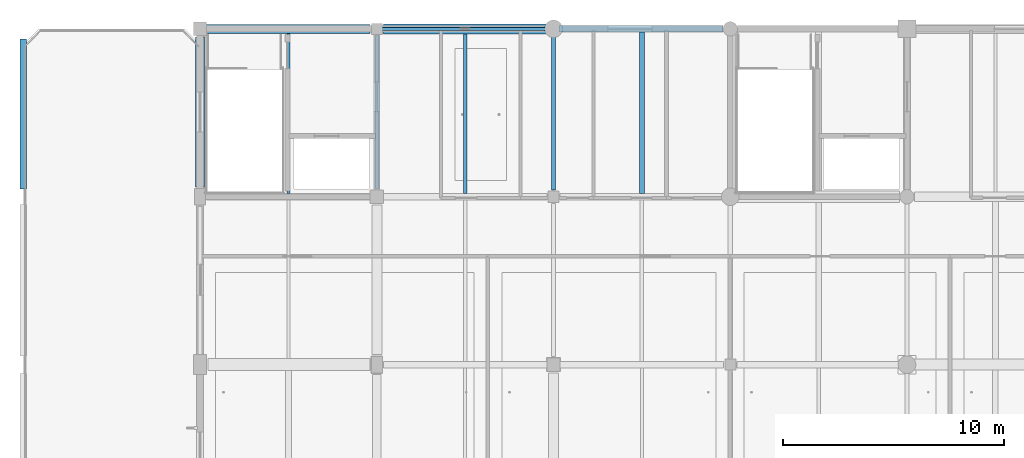
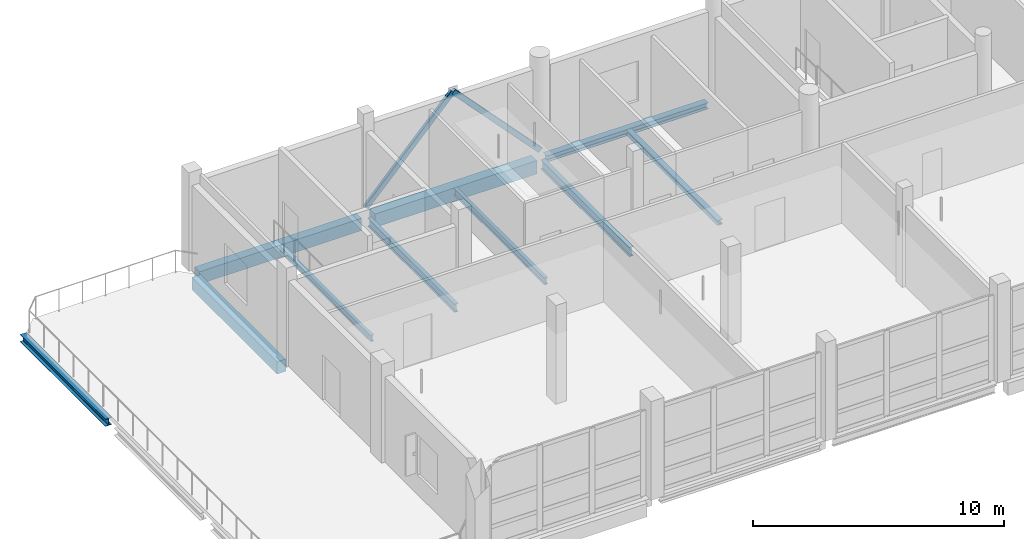
# One storey, part 4 of 18: 10 beams, 2 members.
"""IFC4 building model written with IfcOpenShell, lengths in metres."""

from ifc_helpers import new_model, si_unit, direction, frame, origin, origin_2d, place, context, subcontext, project, spatial, rectangle, hollow_rectangle, i_section, extrude, material, material_profile, profile_set, type_object, element, save


model = new_model("IFC4")

# Units and contexts
model_context = context("Model", 3, precision=1e-05, world=origin(), true_north=direction((0.0, 1.0)))
body_context = subcontext(model_context, "Body", "Model", "MODEL_VIEW")
ifc_project = project(units=[si_unit("LENGTHUNIT", "METRE"), si_unit("AREAUNIT", "SQUARE_METRE"), si_unit("VOLUMEUNIT", "CUBIC_METRE"), si_unit("PLANEANGLEUNIT", "RADIAN"), si_unit("MASSUNIT", "GRAM", prefix="KILO")], contexts=[model_context])

# Site, building, storey
site_placement = place(None, origin())
site = spatial("IfcSite", under=ifc_project, at=site_placement, CompositionType="ELEMENT")
building_placement = place(site_placement, origin())
building = spatial("IfcBuilding", under=site, at=building_placement, Name="Khelvaren Railside Concert Hall", CompositionType="ELEMENT")
storey_placement = place(building_placement, frame((0.0, 0.0, 24.60009765625)))
storey = spatial("IfcBuildingStorey", under=building, at=storey_placement, Name="L05", CompositionType="ELEMENT", Elevation=24.60009765625)

# Beams
ifc_material_1 = material(Name="Steel S355", Category="steel")
ifc_material_profile_1 = material_profile(ifc_material_1, i_section(OverallWidth=0.179931640625, OverallDepth=0.39990234375, WebThickness=0.008544921875, FlangeThickness=0.013427734375, FilletRadius=0.02099609375, at=origin_2d()), Name="IPE 400")
ifc_profile_set_1 = profile_set([ifc_material_profile_1], Name="Steel S355")
beam_type_1 = type_object("IfcBeamType", Name="BM29", PredefinedType="BEAM", material=ifc_profile_set_1)
beam_1_placement = place(storey_placement, frame((152.0, 106.77490234375, -0.460205078125), z_axis=(0.0, 1.0, 0.0), x_axis=(-1.0, 0.0, 0.0)))
element("IfcBeam", 1, at=beam_1_placement, inside=storey, type_object=beam_type_1, Name="V5 L05 Beam Y4.4", PredefinedType="BEAM", context=body_context, shape_type="SweptSolid", body=[
    extrude(i_section(OverallWidth=0.179931640625, OverallDepth=0.39990234375, WebThickness=0.008544921875, FlangeThickness=0.013427734375, FilletRadius=0.02099609375, at=origin_2d()), origin(), (0.0, 0.0, 1.0), 6.925048828125),
])
ifc_material_profile_2 = material_profile(ifc_material_1, i_section(OverallWidth=0.18994140625, OverallDepth=0.449951171875, WebThickness=0.009521484375, FlangeThickness=0.0146484375, FilletRadius=0.02099609375, at=origin_2d()), Name="IPE 450")
ifc_profile_set_2 = profile_set([ifc_material_profile_2], Name="Steel S355")
beam_type_2 = type_object("IfcBeamType", Name="BM95", PredefinedType="BEAM", material=ifc_profile_set_2)
beam_2_placement = place(storey_placement, frame((160.0, 106.699951171875, -0.485107421875), z_axis=(0.0, 1.0, 0.0), x_axis=(-1.0, 0.0, 0.0)))
element("IfcBeam", 2, at=beam_2_placement, inside=storey, type_object=beam_type_2, Name="V5 L05 Beam Y5.4", PredefinedType="BEAM", context=body_context, shape_type="SweptSolid", body=[
    extrude(i_section(OverallWidth=0.18994140625, OverallDepth=0.449951171875, WebThickness=0.009521484375, FlangeThickness=0.0146484375, FilletRadius=0.02099609375, at=origin_2d()), origin(), (0.0, 0.0, 1.0), 7.050048828125),
])

# Members
ifc_material_profile_3 = material_profile(ifc_material_1, hollow_rectangle(XDim=0.14990234375, YDim=0.25, WallThickness=0.012451171875, InnerFilletRadius=0.012451171875, OuterFilletRadius=0.01904296875, at=origin_2d()), Name="RHS 250x150x12.5")
ifc_profile_set_3 = profile_set([ifc_material_profile_3], Name="Steel S355")
member_type = type_object("IfcMemberType", Name="BR52", PredefinedType="BRACE", material=ifc_profile_set_3)
for number, where, z_axis, x_axis, name in (
    (3, (152.0, 114.0, 0.0498046875), (0.685364699005, 0.0, 0.728199992693), (0.0, 1.0, 0.0), "V5 L05 Seismic Chevron Brace 67"),
    (4, (160.0, 114.0, 0.0498046875), (-0.685364699005, 0.0, 0.728199992693), (0.0, -1.0, 0.0), "V5 L05 Seismic Chevron Brace 68"),
):
    element("IfcMember", number, at=place(storey_placement, frame(where, z_axis=z_axis, x_axis=x_axis)), inside=storey, type_object=member_type, Name=name, PredefinedType="BRACE", context=body_context, shape_type="SweptSolid", body=[
        extrude(hollow_rectangle(XDim=0.14990234375, YDim=0.25, WallThickness=0.012451171875, InnerFilletRadius=0.012451171875, OuterFilletRadius=0.01904296875, at=origin_2d()), origin(), (0.0, 0.0, 1.0), 5.83642578125),
    ])

# Beams
ifc_material_profile_4 = material_profile(ifc_material_1, i_section(OverallWidth=0.14990234375, OverallDepth=0.300048828125, WebThickness=0.007080078125, FlangeThickness=0.0107421875, FilletRadius=0.014892578125, at=origin_2d()), Name="IPE 300")
ifc_profile_set_4 = profile_set([ifc_material_profile_4], Name="Steel S355")
beam_type_3 = type_object("IfcBeamType", Name="JS26", PredefinedType="JOIST", material=ifc_profile_set_4)
beam_3_placement = place(storey_placement, frame((148.0, 106.550048828125, -0.41015625), z_axis=(0.0, 1.0, 0.0), x_axis=(-1.0, 0.0, 0.0)))
element("IfcBeam", 5, at=beam_3_placement, inside=storey, type_object=beam_type_3, Name="V5 L05 Secondary Joist 3.4", PredefinedType="JOIST", context=body_context, shape_type="SweptSolid", body=[
    extrude(i_section(OverallWidth=0.14990234375, OverallDepth=0.300048828125, WebThickness=0.007080078125, FlangeThickness=0.0107421875, FilletRadius=0.014892578125, at=origin_2d()), origin(), (0.0, 0.0, 1.0), 7.25),
])
ifc_material_profile_5 = material_profile(ifc_material_1, i_section(OverallWidth=0.159912109375, OverallDepth=0.330078125, WebThickness=0.007568359375, FlangeThickness=0.011474609375, FilletRadius=0.01806640625, at=origin_2d()), Name="IPE 330")
ifc_profile_set_5 = profile_set([ifc_material_profile_5], Name="Steel S355")
beam_type_4 = type_object("IfcBeamType", Name="JS65", PredefinedType="JOIST", material=ifc_profile_set_5)
beam_4_placement = place(storey_placement, frame((156.0, 106.550048828125, -0.425048828125), z_axis=(0.0, 1.0, 0.0), x_axis=(-1.0, 0.0, 0.0)))
element("IfcBeam", 6, at=beam_4_placement, inside=storey, type_object=beam_type_4, Name="V5 L05 Secondary Joist 4.4", PredefinedType="JOIST", context=body_context, shape_type="SweptSolid", body=[
    extrude(i_section(OverallWidth=0.159912109375, OverallDepth=0.330078125, WebThickness=0.007568359375, FlangeThickness=0.011474609375, FilletRadius=0.01806640625, at=origin_2d()), origin(), (0.0, 0.0, 1.0), 7.224853515625),
])
ifc_material_profile_6 = material_profile(ifc_material_1, i_section(OverallWidth=0.239990234375, OverallDepth=0.22998046875, WebThickness=0.007568359375, FlangeThickness=0.011962890625, FilletRadius=0.02099609375, at=origin_2d()), Name="HEA 240")
ifc_profile_set_6 = profile_set([ifc_material_profile_6], Name="Steel S355")
beam_type_5 = type_object("IfcBeamType", Name="JS76", PredefinedType="JOIST", material=ifc_profile_set_6)
beam_5_placement = place(storey_placement, frame((164.0, 106.550048828125, -0.375), z_axis=(0.0, 1.0, 0.0), x_axis=(-1.0, 0.0, 0.0)))
element("IfcBeam", 7, at=beam_5_placement, inside=storey, type_object=beam_type_5, Name="V5 L05 Secondary Joist 5.4", PredefinedType="JOIST", context=body_context, shape_type="SweptSolid", body=[
    extrude(i_section(OverallWidth=0.239990234375, OverallDepth=0.22998046875, WebThickness=0.007568359375, FlangeThickness=0.011962890625, FilletRadius=0.02099609375, at=origin_2d()), origin(), (0.0, 0.0, 1.0), 7.300048828125),
])
ifc_material_2 = material(Name="Concrete C40/50", Category="concrete")
ifc_material_profile_7 = material_profile(ifc_material_2, rectangle(XDim=0.449951171875, YDim=0.64990234375, at=origin_2d()), Name="RCB 450x650")
ifc_profile_set_7 = profile_set([ifc_material_profile_7], Name="Concrete C40/50")
beam_type_6 = type_object("IfcBeamType", Name="SP34", PredefinedType="SPANDREL", material=ifc_profile_set_7)
beam_6_placement = place(storey_placement, frame((152.300048828125, 114.0, -0.585205078125), z_axis=(1.0, 0.0, 0.0), x_axis=(0.0, 1.0, 0.0)))
element("IfcBeam", 8, at=beam_6_placement, inside=storey, type_object=beam_type_6, Name="V5 L05 Spandrel X5.4", PredefinedType="SPANDREL", context=body_context, shape_type="SweptSolid", body=[
    extrude(rectangle(XDim=0.449951171875, YDim=0.64990234375, at=origin_2d()), origin(), (0.0, 0.0, 1.0), 7.449951171875),
])
ifc_material_profile_8 = material_profile(ifc_material_1, i_section(OverallWidth=0.300048828125, OverallDepth=0.35009765625, WebThickness=0.010009765625, FlangeThickness=0.017578125, FilletRadius=0.027099609375, at=origin_2d()), Name="HEA 360")
ifc_profile_set_8 = profile_set([ifc_material_profile_8], Name="Steel S355")
beam_type_7 = type_object("IfcBeamType", Name="SP38", PredefinedType="SPANDREL", material=ifc_profile_set_8)
beam_7_placement = place(storey_placement, frame((136.0, 106.75, -0.385009765625), z_axis=(0.0, 1.0, 0.0), x_axis=(-1.0, 0.0, 0.0)))
element("IfcBeam", 9, at=beam_7_placement, inside=storey, type_object=beam_type_7, Name="V5 L05 Terrace Edge Spandrel 32", PredefinedType="SPANDREL", context=body_context, shape_type="SweptSolid", body=[
    extrude(i_section(OverallWidth=0.300048828125, OverallDepth=0.35009765625, WebThickness=0.010009765625, FlangeThickness=0.017578125, FilletRadius=0.027099609375, at=origin_2d()), origin(), (0.0, 0.0, 1.0), 6.800048828125),
])
ifc_material_profile_9 = material_profile(ifc_material_1, i_section(OverallWidth=0.300048828125, OverallDepth=0.31005859375, WebThickness=0.009033203125, FlangeThickness=0.015380859375, FilletRadius=0.027099609375, at=origin_2d()), Name="HEA 320")
ifc_profile_set_9 = profile_set([ifc_material_profile_9], Name="Steel S355")
beam_type_8 = type_object("IfcBeamType", Name="SP66", PredefinedType="SPANDREL", material=ifc_profile_set_9)
beam_8_placement = place(storey_placement, frame((160.25, 114.0, -0.4150390625), z_axis=(1.0, 0.0, 0.0), x_axis=(0.0, 1.0, 0.0)))
element("IfcBeam", 10, at=beam_8_placement, inside=storey, type_object=beam_type_8, Name="V5 L05 Spandrel X5.5", PredefinedType="SPANDREL", context=body_context, shape_type="SweptSolid", body=[
    extrude(i_section(OverallWidth=0.300048828125, OverallDepth=0.31005859375, WebThickness=0.009033203125, FlangeThickness=0.015380859375, FilletRadius=0.027099609375, at=origin_2d()), origin(), (0.0, 0.0, 1.0), 7.4140625),
])
ifc_material_profile_10 = material_profile(ifc_material_2, rectangle(XDim=0.39990234375, YDim=0.60009765625, at=origin_2d()), Name="RCB 400x600")
ifc_profile_set_10 = profile_set([ifc_material_profile_10], Name="Concrete C40/50")
beam_type_9 = type_object("IfcBeamType", Name="SP75", PredefinedType="SPANDREL", material=ifc_profile_set_10)
beam_9_placement = place(storey_placement, frame((144.25, 114.0, -0.56005859375), z_axis=(1.0, 0.0, 0.0), x_axis=(0.0, 1.0, 0.0)))
element("IfcBeam", 11, at=beam_9_placement, inside=storey, type_object=beam_type_9, Name="V5 L05 Spandrel X5.3", PredefinedType="SPANDREL", context=body_context, shape_type="SweptSolid", body=[
    extrude(rectangle(XDim=0.39990234375, YDim=0.60009765625, at=origin_2d()), origin(), (0.0, 0.0, 1.0), 7.449951171875),
])
beam_10_placement = place(storey_placement, frame((144.0, 106.85009765625, -0.56005859375), z_axis=(0.0, 1.0, 0.0), x_axis=(-1.0, 0.0, 0.0)))
element("IfcBeam", 12, at=beam_10_placement, inside=storey, type_object=beam_type_9, Name="V5 L05 Spandrel Y3.4", PredefinedType="SPANDREL", context=body_context, shape_type="SweptSolid", body=[
    extrude(rectangle(XDim=0.39990234375, YDim=0.60009765625, at=origin_2d()), origin(), (0.0, 0.0, 1.0), 6.77490234375),
])

save(model, "model.ifc")
